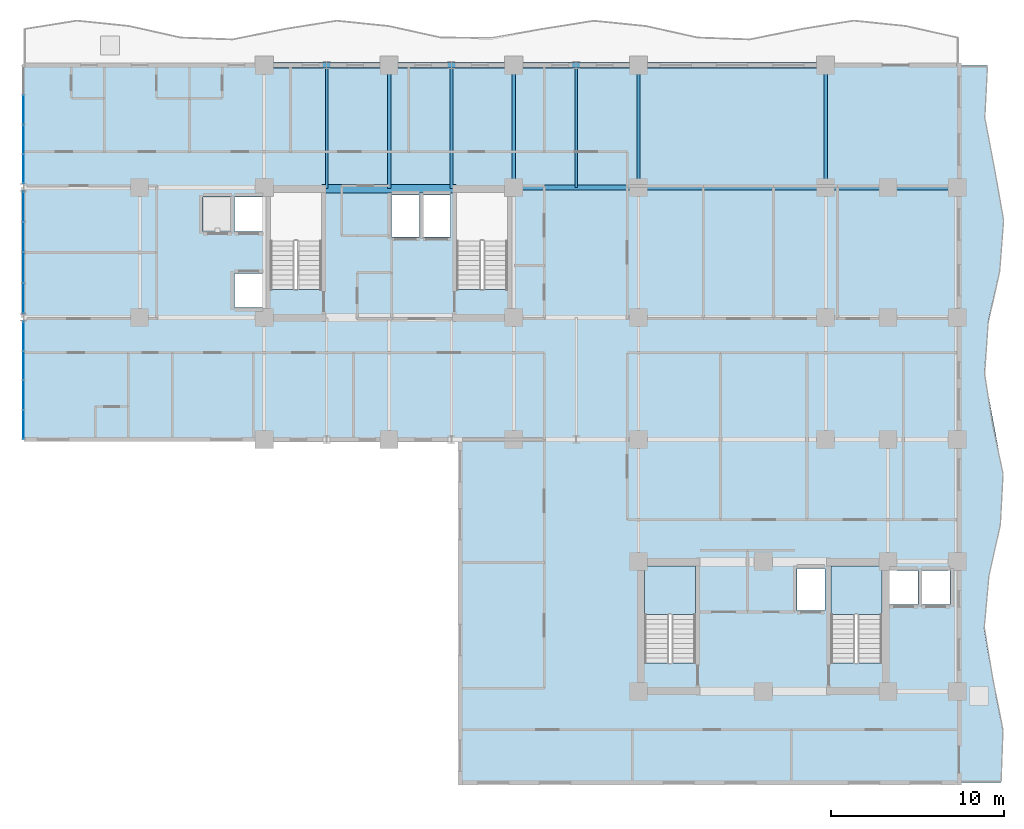
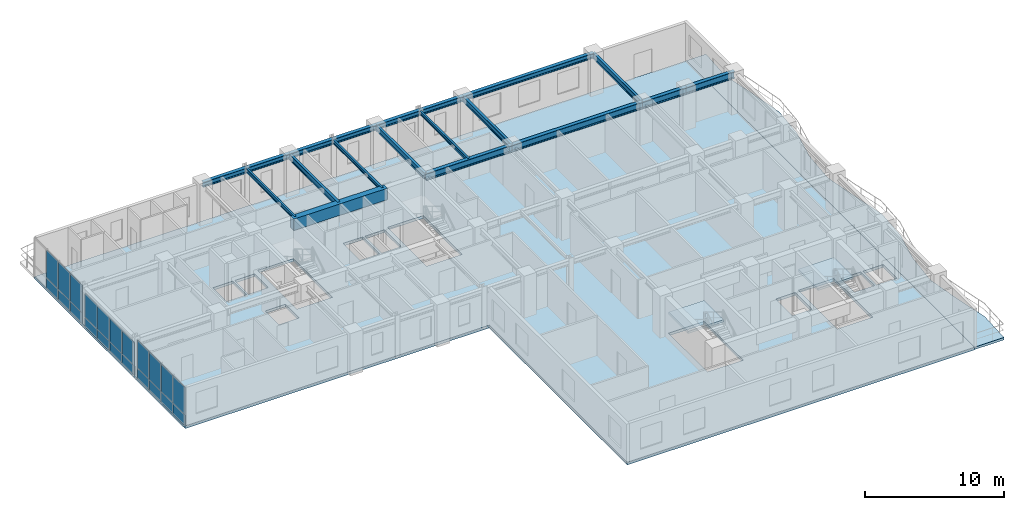
# One storey, part 9 of 20: 22 plates, 19 beams, 4 slabs, 5 elements without a shape of their own.
"""IFC4 building model written with IfcOpenShell, lengths in metres."""

from ifc_helpers import new_model, si_unit, direction, frame, origin, origin_2d, place, context, subcontext, project, spatial, polyline, rectangle, i_section, outline, extrude, source, transform, mapped, material, layer, layer_set, material_profile, profile_set, type_object, element, aggregate, save


model = new_model("IFC4")

# Units and contexts
model_context = context("Model", 3, precision=1e-05, world=origin(), true_north=direction((0.0, 1.0)))
body_context = subcontext(model_context, "Body", "Model", "MODEL_VIEW")
ifc_project = project(units=[si_unit("LENGTHUNIT", "METRE"), si_unit("AREAUNIT", "SQUARE_METRE"), si_unit("VOLUMEUNIT", "CUBIC_METRE"), si_unit("PLANEANGLEUNIT", "RADIAN"), si_unit("MASSUNIT", "GRAM", prefix="KILO")], contexts=[model_context])

# Site, building, storey
site_placement = place(None, origin())
site = spatial("IfcSite", under=ifc_project, at=site_placement, CompositionType="ELEMENT")
building_placement = place(site_placement, origin())
building = spatial("IfcBuilding", under=site, at=building_placement, Name="Kaliganga Portal Commons", CompositionType="ELEMENT")
storey_placement = place(building_placement, frame((0.0, 0.0, 155.0)))
storey = spatial("IfcBuildingStorey", under=building, at=storey_placement, Name="L39", CompositionType="ELEMENT", Elevation=155.0)

# Beams
ifc_material_1 = material(Name="Concrete C50/60", Category="concrete")
ifc_material_profile_1 = material_profile(ifc_material_1, rectangle(XDim=0.5, YDim=1.0, at=origin_2d()), Name="RC 500x1000")
ifc_profile_set_1 = profile_set([ifc_material_profile_1], Name="Concrete C50/60")
beam_type_1 = type_object("IfcBeamType", Name="BM-CPL-1000", PredefinedType="LINTEL", material=ifc_profile_set_1)
shared_shape_1 = source(origin(), body_context, "Body", "SweptSolid", [
    extrude(rectangle(XDim=0.5, YDim=1.0, at=origin_2d()), origin(), (0.0, 0.0, 1.0), 7.739990234375),
])
beam_1_placement = place(storey_placement, frame((17.72998046875, 36.074951171875, 2.9599609375), z_axis=(1.0, 0.0, 0.0), x_axis=(0.0, 1.0, 0.0)))
element("IfcBeam", 1, at=beam_1_placement, inside=storey, type_object=beam_type_1, Name="BM CPL COREA L39 N", PredefinedType="LINTEL", context=body_context, shape_type="MappedRepresentation", body=[
    mapped(shared_shape_1, transform((0.0, 0.0, 0.0), x_axis=(1.0, 0.0, 0.0), y_axis=(0.0, 1.0, 0.0), z_axis=(0.0, 0.0, 1.0), scale=1.0)),
])
ifc_material_2 = material(Name="Structural steel S355J2", Category="steel")
ifc_material_profile_2 = material_profile(ifc_material_2, i_section(OverallWidth=0.199951171875, OverallDepth=0.5, WebThickness=0.01025390625, FlangeThickness=0.01611328125, FilletRadius=0.02099609375, at=origin_2d()), Name="IPE 500")
ifc_profile_set_2 = profile_set([ifc_material_profile_2], Name="Structural steel S355J2 wide-flange")
beam_type_2 = type_object("IfcBeamType", Name="BM-FLR-500", PredefinedType="BEAM", material=ifc_profile_set_2)
shared_shape_2 = source(origin(), body_context, "Body", "SweptSolid", [
    extrude(i_section(OverallWidth=0.199951171875, OverallDepth=0.5, WebThickness=0.01025390625, FlangeThickness=0.01611328125, FilletRadius=0.02099609375, at=origin_2d()), origin(), (0.0, 0.0, 1.0), 7.050048828125),
])
for number, where, z_axis, x_axis, name in (
    (2, (28.800048828125, 36.14990234375, 3.2099609375), (0.0, 1.0, 0.0), (-1.0, 0.0, 0.0), "BM G L39 AN288"),
    (3, (36.0, 36.14990234375, 3.2099609375), (0.0, 1.0, 0.0), (-1.0, 0.0, 0.0), "BM G L39 AN360"),
    (4, (46.800048828125, 36.14990234375, 3.2099609375), (0.0, 1.0, 0.0), (-1.0, 0.0, 0.0), "BM G L39 AN468"),
):
    element("IfcBeam", number, at=place(storey_placement, frame(where, z_axis=z_axis, x_axis=x_axis)), inside=storey, type_object=beam_type_2, Name=name, PredefinedType="BEAM", context=body_context, shape_type="MappedRepresentation", body=[
        mapped(shared_shape_2, transform((0.0, 0.0, 0.0), x_axis=(1.0, 0.0, 0.0), y_axis=(0.0, 1.0, 0.0), z_axis=(0.0, 0.0, 1.0), scale=1.0)),
    ])
ifc_material_profile_3 = material_profile(ifc_material_2, i_section(OverallWidth=0.300048828125, OverallDepth=0.449951171875, WebThickness=0.013916015625, FlangeThickness=0.02587890625, FilletRadius=0.027099609375, at=origin_2d()), Name="HE 450 B")
ifc_profile_set_3 = profile_set([ifc_material_profile_3], Name="Structural steel S355J2 wide-flange")
beam_type_3 = type_object("IfcBeamType", Name="BM-SPAND-450", PredefinedType="SPANDREL", material=ifc_profile_set_3)
shared_shape_3 = source(origin(), body_context, "Body", "SweptSolid", [
    extrude(i_section(OverallWidth=0.300048828125, OverallDepth=0.449951171875, WebThickness=0.013916015625, FlangeThickness=0.02587890625, FilletRadius=0.027099609375, at=origin_2d()), origin(), (0.0, 0.0, 1.0), 3.60009765625),
])
for number, where, z_axis, x_axis, name in (
    (5, (14.39990234375, 43.199951171875, 3.235107421875), (1.0, 0.0, 0.0), (0.0, 1.0, 0.0), "BM SP L39 AN 1"),
    (6, (18.0, 43.199951171875, 3.235107421875), (1.0, 0.0, 0.0), (0.0, 1.0, 0.0), "BM SP L39 AN 2"),
    (7, (25.199951171875, 43.199951171875, 3.235107421875), (1.0, 0.0, 0.0), (0.0, 1.0, 0.0), "BM SP L39 AN 4"),
    (8, (32.39990234375, 43.199951171875, 3.235107421875), (1.0, 0.0, 0.0), (0.0, 1.0, 0.0), "BM SP L39 AN 6"),
):
    element("IfcBeam", number, at=place(storey_placement, frame(where, z_axis=z_axis, x_axis=x_axis)), inside=storey, type_object=beam_type_3, Name=name, PredefinedType="SPANDREL", context=body_context, shape_type="MappedRepresentation", body=[
        mapped(shared_shape_3, transform((0.0, 0.0, 0.0), x_axis=(1.0, 0.0, 0.0), y_axis=(0.0, 1.0, 0.0), z_axis=(0.0, 0.0, 1.0), scale=1.0)),
    ])
shared_shape_4 = source(origin(), body_context, "Body", "SweptSolid", [
    extrude(i_section(OverallWidth=0.300048828125, OverallDepth=0.449951171875, WebThickness=0.013916015625, FlangeThickness=0.02587890625, FilletRadius=0.027099609375, at=origin_2d()), origin(), (0.0, 0.0, 1.0), 3.599853515625),
])
for number, where, z_axis, x_axis, name in (
    (9, (21.60009765625, 43.199951171875, 3.235107421875), (1.0, 0.0, 0.0), (0.0, 1.0, 0.0), "BM SP L39 AN 3"),
    (10, (28.800048828125, 43.199951171875, 3.235107421875), (1.0, 0.0, 0.0), (0.0, 1.0, 0.0), "BM SP L39 AN 5"),
):
    element("IfcBeam", number, at=place(storey_placement, frame(where, z_axis=z_axis, x_axis=x_axis)), inside=storey, type_object=beam_type_3, Name=name, PredefinedType="SPANDREL", context=body_context, shape_type="MappedRepresentation", body=[
        mapped(shared_shape_4, transform((0.0, 0.0, 0.0), x_axis=(1.0, 0.0, 0.0), y_axis=(0.0, 1.0, 0.0), z_axis=(0.0, 0.0, 1.0), scale=1.0)),
    ])
shared_shape_5 = source(origin(), body_context, "Body", "SweptSolid", [
    extrude(i_section(OverallWidth=0.300048828125, OverallDepth=0.449951171875, WebThickness=0.013916015625, FlangeThickness=0.02587890625, FilletRadius=0.027099609375, at=origin_2d()), origin(), (0.0, 0.0, 1.0), 10.800048828125),
])
beam_2_placement = place(storey_placement, frame((36.0, 43.199951171875, 3.235107421875), z_axis=(1.0, 0.0, 0.0), x_axis=(0.0, 1.0, 0.0)))
element("IfcBeam", 11, at=beam_2_placement, inside=storey, type_object=beam_type_3, Name="BM SP L39 AN 7", PredefinedType="SPANDREL", context=body_context, shape_type="MappedRepresentation", body=[
    mapped(shared_shape_5, transform((0.0, 0.0, 0.0), x_axis=(1.0, 0.0, 0.0), y_axis=(0.0, 1.0, 0.0), z_axis=(0.0, 0.0, 1.0), scale=1.0)),
])
ifc_material_profile_4 = material_profile(ifc_material_2, i_section(OverallWidth=0.159912109375, OverallDepth=0.330078125, WebThickness=0.007568359375, FlangeThickness=0.011474609375, FilletRadius=0.01806640625, at=origin_2d()), Name="IPE 330")
ifc_profile_set_4 = profile_set([ifc_material_profile_4], Name="Structural steel S355J2 wide-flange")
beam_type_4 = type_object("IfcBeamType", Name="BM-JST-330", PredefinedType="JOIST", material=ifc_profile_set_4)
shared_shape_6 = source(origin(), body_context, "Body", "SweptSolid", [
    extrude(i_section(OverallWidth=0.159912109375, OverallDepth=0.330078125, WebThickness=0.007568359375, FlangeThickness=0.011474609375, FilletRadius=0.01806640625, at=origin_2d()), origin(), (0.0, 0.0, 1.0), 7.050048828125),
])
beam_3_placement = place(storey_placement, frame((32.39990234375, 36.14990234375, 3.294921875), z_axis=(0.0, 1.0, 0.0), x_axis=(-1.0, 0.0, 0.0)))
element("IfcBeam", 12, at=beam_3_placement, inside=storey, type_object=beam_type_4, Name="BM G L39 AN324", PredefinedType="JOIST", context=body_context, shape_type="MappedRepresentation", body=[
    mapped(shared_shape_6, transform((0.0, 0.0, 0.0), x_axis=(1.0, 0.0, 0.0), y_axis=(0.0, 1.0, 0.0), z_axis=(0.0, 0.0, 1.0), scale=1.0)),
])
ifc_material_profile_5 = material_profile(ifc_material_2, i_section(OverallWidth=0.300048828125, OverallDepth=0.60009765625, WebThickness=0.015380859375, FlangeThickness=0.030029296875, FilletRadius=0.027099609375, at=origin_2d()), Name="HE 600 B")
ifc_profile_set_5 = profile_set([ifc_material_profile_5], Name="Structural steel S355J2 wide-flange")
beam_type_5 = type_object("IfcBeamType", Name="BM-GIRD-600", PredefinedType="USERDEFINED", material=ifc_profile_set_5)
shared_shape_7 = source(origin(), body_context, "Body", "SweptSolid", [
    extrude(i_section(OverallWidth=0.300048828125, OverallDepth=0.60009765625, WebThickness=0.015380859375, FlangeThickness=0.030029296875, FilletRadius=0.027099609375, at=origin_2d()), origin(), (0.0, 0.0, 1.0), 7.199951171875),
])
beam_4_placement = place(storey_placement, frame((28.800048828125, 36.14990234375, 3.159912109375), z_axis=(1.0, 0.0, 0.0), x_axis=(0.0, 1.0, 0.0)))
element("IfcBeam", 13, at=beam_4_placement, inside=storey, type_object=beam_type_5, Name="BM G L39 WAE_N 1", ObjectType="GIRDER", PredefinedType="USERDEFINED", context=body_context, shape_type="MappedRepresentation", body=[
    mapped(shared_shape_7, transform((0.0, 0.0, 0.0), x_axis=(1.0, 0.0, 0.0), y_axis=(0.0, 1.0, 0.0), z_axis=(0.0, 0.0, 1.0), scale=1.0)),
])
shared_shape_8 = source(origin(), body_context, "Body", "SweptSolid", [
    extrude(i_section(OverallWidth=0.300048828125, OverallDepth=0.60009765625, WebThickness=0.015380859375, FlangeThickness=0.030029296875, FilletRadius=0.027099609375, at=origin_2d()), origin(), (0.0, 0.0, 1.0), 10.800048828125),
])
beam_5_placement = place(storey_placement, frame((36.0, 36.14990234375, 3.159912109375), z_axis=(1.0, 0.0, 0.0), x_axis=(0.0, 1.0, 0.0)))
element("IfcBeam", 14, at=beam_5_placement, inside=storey, type_object=beam_type_5, Name="BM G L39 WAE_N 2", ObjectType="GIRDER", PredefinedType="USERDEFINED", context=body_context, shape_type="MappedRepresentation", body=[
    mapped(shared_shape_8, transform((0.0, 0.0, 0.0), x_axis=(1.0, 0.0, 0.0), y_axis=(0.0, 1.0, 0.0), z_axis=(0.0, 0.0, 1.0), scale=1.0)),
])
shared_shape_9 = source(origin(), body_context, "Body", "SweptSolid", [
    extrude(i_section(OverallWidth=0.159912109375, OverallDepth=0.330078125, WebThickness=0.007568359375, FlangeThickness=0.011474609375, FilletRadius=0.01806640625, at=origin_2d()), origin(), (0.0, 0.0, 1.0), 7.125),
])
for number, where, z_axis, x_axis, name in (
    (15, (18.0, 36.074951171875, 3.294921875), (0.0, 1.0, 0.0), (-1.0, 0.0, 0.0), "BM G L39 AN180"),
    (16, (25.199951171875, 36.074951171875, 3.294921875), (0.0, 1.0, 0.0), (-1.0, 0.0, 0.0), "BM G L39 AN252"),
):
    element("IfcBeam", number, at=place(storey_placement, frame(where, z_axis=z_axis, x_axis=x_axis)), inside=storey, type_object=beam_type_4, Name=name, PredefinedType="JOIST", context=body_context, shape_type="MappedRepresentation", body=[
        mapped(shared_shape_9, transform((0.0, 0.0, 0.0), x_axis=(1.0, 0.0, 0.0), y_axis=(0.0, 1.0, 0.0), z_axis=(0.0, 0.0, 1.0), scale=1.0)),
    ])
shared_shape_10 = source(origin(), body_context, "Body", "SweptSolid", [
    extrude(i_section(OverallWidth=0.199951171875, OverallDepth=0.5, WebThickness=0.01025390625, FlangeThickness=0.01611328125, FilletRadius=0.02099609375, at=origin_2d()), origin(), (0.0, 0.0, 1.0), 7.125),
])
beam_6_placement = place(storey_placement, frame((21.60009765625, 36.074951171875, 3.2099609375), z_axis=(0.0, 1.0, 0.0), x_axis=(-1.0, 0.0, 0.0)))
element("IfcBeam", 17, at=beam_6_placement, inside=storey, type_object=beam_type_2, Name="BM G L39 AN216", PredefinedType="BEAM", context=body_context, shape_type="MappedRepresentation", body=[
    mapped(shared_shape_10, transform((0.0, 0.0, 0.0), x_axis=(1.0, 0.0, 0.0), y_axis=(0.0, 1.0, 0.0), z_axis=(0.0, 0.0, 1.0), scale=1.0)),
])
shared_shape_11 = source(origin(), body_context, "Body", "SweptSolid", [
    extrude(i_section(OverallWidth=0.300048828125, OverallDepth=0.60009765625, WebThickness=0.015380859375, FlangeThickness=0.030029296875, FilletRadius=0.027099609375, at=origin_2d()), origin(), (0.0, 0.0, 1.0), 4.0),
])
beam_7_placement = place(storey_placement, frame((50.39990234375, 36.14990234375, 3.159912109375), z_axis=(1.0, 0.0, 0.0), x_axis=(0.0, 1.0, 0.0)))
element("IfcBeam", 18, at=beam_7_placement, inside=storey, type_object=beam_type_5, Name="BM G L39 BKE362 2", ObjectType="GIRDER", PredefinedType="USERDEFINED", context=body_context, shape_type="MappedRepresentation", body=[
    mapped(shared_shape_11, transform((0.0, 0.0, 0.0), x_axis=(1.0, 0.0, 0.0), y_axis=(0.0, 1.0, 0.0), z_axis=(0.0, 0.0, 1.0), scale=1.0)),
])
shared_shape_12 = source(origin(), body_context, "Body", "SweptSolid", [
    extrude(i_section(OverallWidth=0.300048828125, OverallDepth=0.60009765625, WebThickness=0.015380859375, FlangeThickness=0.030029296875, FilletRadius=0.027099609375, at=origin_2d()), origin(), (0.0, 0.0, 1.0), 3.599853515625),
])
beam_8_placement = place(storey_placement, frame((46.800048828125, 36.14990234375, 3.159912109375), z_axis=(1.0, 0.0, 0.0), x_axis=(0.0, 1.0, 0.0)))
element("IfcBeam", 19, at=beam_8_placement, inside=storey, type_object=beam_type_5, Name="BM G L39 BKE362 1", ObjectType="GIRDER", PredefinedType="USERDEFINED", context=body_context, shape_type="MappedRepresentation", body=[
    mapped(shared_shape_12, transform((0.0, 0.0, 0.0), x_axis=(1.0, 0.0, 0.0), y_axis=(0.0, 1.0, 0.0), z_axis=(0.0, 0.0, 1.0), scale=1.0)),
])

# Slab
ifc_material_3 = material(Name="Concrete C40/50", Category="concrete")
ifc_layer_1 = layer(ifc_material_3, 0.2099609375)
ifc_layer_set_1 = layer_set([ifc_layer_1], Name="Concrete C40/50")
slab_type_1 = type_object("IfcSlabType", Name="SLB-BALC-210", PredefinedType="FLOOR", material=ifc_layer_set_1)
slab_1_placement = place(storey_placement, frame((0.0, 0.0, -0.2099609375)))
element("IfcSlab", 20, at=slab_1_placement, inside=storey, type_object=slab_type_1, Name="Scalloped Tree-Planter Balcony Slab L39 balc_east", PredefinedType="FLOOR", context=body_context, shape_type="SweptSolid", body=[
    extrude(outline(polyline([(54.5, 1.800048828125), (56.930419921875, 1.800048828125), (57.04150390625, 4.757080078125), (56.451416015625, 7.71435546875), (55.955810546875, 10.67138671875), (56.222412109375, 13.628662109375), (56.89208984375, 16.585693359375), (57.062255859375, 19.54296875), (56.50341796875, 22.5), (55.968994140625, 25.45703125), (56.17919921875, 28.414306640625), (56.850830078125, 31.371337890625), (57.07861328125, 34.32861328125), (56.55517578125, 37.28564453125), (55.986328125, 40.242919921875), (56.138916015625, 43.199951171875), (54.5, 43.199951171875), (54.5, 1.800048828125)])), origin(), (0.0, 0.0, 1.0), 0.2099609375),
])

# Stair, slab
stair_type = type_object("IfcStairType", Name="ST-CORE-DOGLEG", PredefinedType="HALF_TURN_STAIR", material=ifc_material_3)
stair_1_placement = place(storey_placement, origin())
stair_1 = element("IfcStair", 21, at=stair_1_placement, inside=storey, type_object=stair_type, Name="L39 Protected Exit Stair ST-B1", PredefinedType="HALF_TURN_STAIR")
ifc_layer_2 = layer(ifc_material_3, 0.199951171875)
ifc_layer_set_2 = layer_set([ifc_layer_2], Name="Concrete C40/50")
slab_type_2 = type_object("IfcSlabType", Name="SLB-STAIR-LND", PredefinedType="LANDING", material=ifc_layer_set_2)
slab_2_placement = place(storey_placement, frame((0.0, 0.0, 1.64990234375)))
slab_2 = element("IfcSlab", 22, at=slab_2_placement, type_object=slab_type_2, Name="ST-B1 landing 1", PredefinedType="LANDING", context=body_context, shape_type="SweptSolid", body=[
    extrude(outline(polyline([(39.300048828125, 11.5), (39.300048828125, 14.300048828125), (36.35009765625, 14.300048828125), (36.35009765625, 11.5), (39.300048828125, 11.5)])), origin(), (0.0, 0.0, 1.0), 0.2001953125),
])
aggregate(stair_1, [slab_2])

stair_2_placement = place(storey_placement, origin())
stair_2 = element("IfcStair", 23, at=stair_2_placement, inside=storey, type_object=stair_type, Name="L39 Protected Exit Stair ST-B2", PredefinedType="HALF_TURN_STAIR")
slab_3_placement = place(storey_placement, frame((0.0, 0.0, 1.64990234375)))
slab_3 = element("IfcSlab", 24, at=slab_3_placement, type_object=slab_type_2, Name="ST-B2 landing 1", PredefinedType="LANDING", context=body_context, shape_type="SweptSolid", body=[
    extrude(outline(polyline([(50.050048828125, 11.5), (50.050048828125, 14.300048828125), (47.10009765625, 14.300048828125), (47.10009765625, 11.5), (50.050048828125, 11.5)])), origin(), (0.0, 0.0, 1.0), 0.2001953125),
])
aggregate(stair_2, [slab_3])

# Slab
ifc_layer_3 = layer(ifc_material_3, 0.239990234375)
ifc_layer_set_3 = layer_set([ifc_layer_3], Name="Concrete C40/50")
slab_type_3 = type_object("IfcSlabType", Name="SLB-TWR-240", PredefinedType="FLOOR", material=ifc_layer_set_3)
slab_4_placement = place(storey_placement, frame((0.0, 0.0, -0.239990234375)))
element("IfcSlab", 25, at=slab_4_placement, inside=storey, type_object=slab_type_3, Name="Structural Floor Slab L39", PredefinedType="FLOOR", context=body_context, shape_type="SweptSolid", body=[
    extrude(outline(polyline([(25.699951171875, 1.800048828125), (54.5, 1.800048828125), (54.5, 43.199951171875), (0.5, 43.199951171875), (0.5, 21.60009765625), (25.699951171875, 21.60009765625), (25.699951171875, 1.800048828125)]), holes=[polyline([(14.75, 30.25390625), (14.75, 35.85009765625), (17.699951171875, 35.85009765625), (17.699951171875, 30.25390625), (14.75, 30.25390625)]), polyline([(25.5, 30.25390625), (25.5, 35.85009765625), (28.449951171875, 35.85009765625), (28.449951171875, 30.25390625), (25.5, 30.25390625)]), polyline([(36.35009765625, 8.7041015625), (36.35009765625, 14.300048828125), (39.300048828125, 14.300048828125), (39.300048828125, 8.7041015625), (36.35009765625, 8.7041015625)]), polyline([(47.10009765625, 8.7041015625), (47.10009765625, 14.300048828125), (50.050048828125, 14.300048828125), (50.050048828125, 8.7041015625), (47.10009765625, 8.7041015625)]), polyline([(12.6650390625, 33.614990234375), (12.6650390625, 35.5849609375), (14.3349609375, 35.5849609375), (14.3349609375, 33.614990234375), (12.6650390625, 33.614990234375)]), polyline([(12.6650390625, 29.215087890625), (12.6650390625, 31.18505859375), (14.3349609375, 31.18505859375), (14.3349609375, 29.215087890625), (12.6650390625, 29.215087890625)]), polyline([(10.864990234375, 33.614990234375), (10.864990234375, 35.5849609375), (12.534912109375, 35.5849609375), (12.534912109375, 33.614990234375), (10.864990234375, 33.614990234375)]), polyline([(21.739990234375, 33.2900390625), (21.739990234375, 35.7099609375), (23.360107421875, 35.7099609375), (23.360107421875, 33.2900390625), (21.739990234375, 33.2900390625)]), polyline([(23.5400390625, 33.2900390625), (23.5400390625, 35.7099609375), (25.159912109375, 35.7099609375), (25.159912109375, 33.2900390625), (23.5400390625, 33.2900390625)]), polyline([(50.465087890625, 12.06494140625), (50.465087890625, 14.034912109375), (52.135009765625, 14.034912109375), (52.135009765625, 12.06494140625), (50.465087890625, 12.06494140625)]), polyline([(52.31494140625, 12.06494140625), (52.31494140625, 14.034912109375), (53.985107421875, 14.034912109375), (53.985107421875, 12.06494140625), (52.31494140625, 12.06494140625)]), polyline([(45.139892578125, 11.739990234375), (45.139892578125, 14.159912109375), (46.760009765625, 14.159912109375), (46.760009765625, 11.739990234375), (45.139892578125, 11.739990234375)])]), origin(), (0.0, 0.0, 1.0), 0.239990234375),
])

# Curtain wall, plates
ifc_material_4 = material(Name="Anodized Aluminium and Laminated Low-E Glass", Category="aluminium")
ifc_layer_4 = layer(ifc_material_4, 0.199951171875)
ifc_layer_set_4 = layer_set([ifc_layer_4], Name="Anodized Aluminium and Laminated Low-E Glass")
curtain_wall_type = type_object("IfcCurtainWallType", Name="CW-SYS-02", PredefinedType="NOTDEFINED", material=ifc_layer_set_4)
curtain_wall_1_placement = place(storey_placement, origin())
curtain_wall_1 = element("IfcCurtainWall", 26, at=curtain_wall_1_placement, inside=storey, type_object=curtain_wall_type, Name="CW 02 L39 P1E03S1", PredefinedType="NOTDEFINED")
ifc_material_5 = material(Name="Insulated Dark Spandrel Panel", Category="metal")
ifc_layer_5 = layer(ifc_material_5, 0.044921875)
ifc_layer_set_5 = layer_set([ifc_layer_5], Name="Insulated Dark Spandrel Panel")
plate_type_1 = type_object("IfcPlateType", Name="PLT-SPN-45", PredefinedType="SHEET", material=ifc_layer_set_5)
shared_shape_13 = source(origin(), body_context, "Body", "SweptSolid", [
    extrude(rectangle(XDim=1.67041015625, YDim=0.044921875, at=origin_2d()), origin(), (0.0, 0.0, 1.0), 0.929931640625),
])
plate_1_placement = place(storey_placement, frame((0.5, 40.63427734375, 0.01025390625), z_axis=(0.0, 0.0, 1.0), x_axis=(0.0, -1.0, 0.0)))
plate_1 = element("IfcPlate", 27, at=plate_1_placement, type_object=plate_type_1, Name="CW:02:L39:P1E03S1 Spandrel 01", PredefinedType="SHEET", context=body_context, shape_type="MappedRepresentation", body=[
    mapped(shared_shape_13, transform((0.0, 0.0, 0.0), x_axis=(1.0, 0.0, 0.0), y_axis=(0.0, 1.0, 0.0), z_axis=(0.0, 0.0, 1.0), scale=1.0)),
])
plate_2_placement = place(storey_placement, frame((0.5, 38.923583984375, 0.01025390625), z_axis=(0.0, 0.0, 1.0), x_axis=(0.0, -1.0, 0.0)))
plate_2 = element("IfcPlate", 28, at=plate_2_placement, type_object=plate_type_1, Name="CW:02:L39:P1E03S1 Spandrel 02", PredefinedType="SHEET", context=body_context, shape_type="MappedRepresentation", body=[
    mapped(shared_shape_13, transform((0.0, 0.0, 0.0), x_axis=(1.0, 0.0, 0.0), y_axis=(0.0, 1.0, 0.0), z_axis=(0.0, 0.0, 1.0), scale=1.0)),
])
plate_3_placement = place(storey_placement, frame((0.5, 37.213134765625, 0.01025390625), z_axis=(0.0, 0.0, 1.0), x_axis=(0.0, -1.0, 0.0)))
plate_3 = element("IfcPlate", 29, at=plate_3_placement, type_object=plate_type_1, Name="CW:02:L39:P1E03S1 Spandrel 03", PredefinedType="SHEET", context=body_context, shape_type="MappedRepresentation", body=[
    mapped(shared_shape_13, transform((0.0, 0.0, 0.0), x_axis=(1.0, 0.0, 0.0), y_axis=(0.0, 1.0, 0.0), z_axis=(0.0, 0.0, 1.0), scale=1.0)),
])

curtain_wall_2_placement = place(storey_placement, origin())
curtain_wall_2 = element("IfcCurtainWall", 30, at=curtain_wall_2_placement, inside=storey, type_object=curtain_wall_type, Name="CW 02 L39 P1E03S3", PredefinedType="NOTDEFINED")
plate_4_placement = place(storey_placement, frame((0.5, 27.5869140625, 0.01025390625), z_axis=(0.0, 0.0, 1.0), x_axis=(0.0, -1.0, 0.0)))
plate_4 = element("IfcPlate", 31, at=plate_4_placement, type_object=plate_type_1, Name="CW:02:L39:P1E03S3 Spandrel 00", PredefinedType="SHEET", context=body_context, shape_type="MappedRepresentation", body=[
    mapped(shared_shape_13, transform((0.0, 0.0, 0.0), x_axis=(1.0, 0.0, 0.0), y_axis=(0.0, 1.0, 0.0), z_axis=(0.0, 0.0, 1.0), scale=1.0)),
])
plate_5_placement = place(storey_placement, frame((0.5, 25.876220703125, 0.01025390625), z_axis=(0.0, 0.0, 1.0), x_axis=(0.0, -1.0, 0.0)))
plate_5 = element("IfcPlate", 32, at=plate_5_placement, type_object=plate_type_1, Name="CW:02:L39:P1E03S3 Spandrel 01", PredefinedType="SHEET", context=body_context, shape_type="MappedRepresentation", body=[
    mapped(shared_shape_13, transform((0.0, 0.0, 0.0), x_axis=(1.0, 0.0, 0.0), y_axis=(0.0, 1.0, 0.0), z_axis=(0.0, 0.0, 1.0), scale=1.0)),
])
plate_6_placement = place(storey_placement, frame((0.5, 24.165771484375, 0.01025390625), z_axis=(0.0, 0.0, 1.0), x_axis=(0.0, -1.0, 0.0)))
plate_6 = element("IfcPlate", 33, at=plate_6_placement, type_object=plate_type_1, Name="CW:02:L39:P1E03S3 Spandrel 02", PredefinedType="SHEET", context=body_context, shape_type="MappedRepresentation", body=[
    mapped(shared_shape_13, transform((0.0, 0.0, 0.0), x_axis=(1.0, 0.0, 0.0), y_axis=(0.0, 1.0, 0.0), z_axis=(0.0, 0.0, 1.0), scale=1.0)),
])
plate_7_placement = place(storey_placement, frame((0.5, 22.455078125, 0.01025390625), z_axis=(0.0, 0.0, 1.0), x_axis=(0.0, -1.0, 0.0)))
plate_7 = element("IfcPlate", 34, at=plate_7_placement, type_object=plate_type_1, Name="CW:02:L39:P1E03S3 Spandrel 03", PredefinedType="SHEET", context=body_context, shape_type="MappedRepresentation", body=[
    mapped(shared_shape_13, transform((0.0, 0.0, 0.0), x_axis=(1.0, 0.0, 0.0), y_axis=(0.0, 1.0, 0.0), z_axis=(0.0, 0.0, 1.0), scale=1.0)),
])

# Plate
ifc_material_6 = material(Name="Dark Solar-Control Laminated Low-E IGU", Category="glass")
ifc_layer_6 = layer(ifc_material_6, 0.028076171875)
ifc_layer_set_6 = layer_set([ifc_layer_6], Name="Dark Solar-Control Laminated Low-E IGU")
plate_type_2 = type_object("IfcPlateType", Name="PLT-GLZ-28", PredefinedType="CURTAIN_PANEL", material=ifc_layer_set_6)
shared_shape_14 = source(origin(), body_context, "Body", "SweptSolid", [
    extrude(rectangle(XDim=1.67041015625, YDim=0.028076171875, at=origin_2d()), origin(), (0.0, 0.0, 1.0), 2.409912109375),
])
plate_8_placement = place(storey_placement, frame((0.5, 40.63427734375, 0.9599609375), z_axis=(0.0, 0.0, 1.0), x_axis=(0.0, -1.0, 0.0)))
plate_8 = element("IfcPlate", 35, at=plate_8_placement, type_object=plate_type_2, Name="CW:02:L39:P1E03S1 Vision IGU 01", PredefinedType="CURTAIN_PANEL", context=body_context, shape_type="MappedRepresentation", body=[
    mapped(shared_shape_14, transform((0.0, 0.0, 0.0), x_axis=(1.0, 0.0, 0.0), y_axis=(0.0, 1.0, 0.0), z_axis=(0.0, 0.0, 1.0), scale=1.0)),
])

plate_9_placement = place(storey_placement, frame((0.5, 38.923583984375, 0.9599609375), z_axis=(0.0, 0.0, 1.0), x_axis=(0.0, -1.0, 0.0)))
plate_9 = element("IfcPlate", 36, at=plate_9_placement, type_object=plate_type_2, Name="CW:02:L39:P1E03S1 Vision IGU 02", PredefinedType="CURTAIN_PANEL", context=body_context, shape_type="MappedRepresentation", body=[
    mapped(shared_shape_14, transform((0.0, 0.0, 0.0), x_axis=(1.0, 0.0, 0.0), y_axis=(0.0, 1.0, 0.0), z_axis=(0.0, 0.0, 1.0), scale=1.0)),
])

plate_10_placement = place(storey_placement, frame((0.5, 37.213134765625, 0.9599609375), z_axis=(0.0, 0.0, 1.0), x_axis=(0.0, -1.0, 0.0)))
plate_10 = element("IfcPlate", 37, at=plate_10_placement, type_object=plate_type_2, Name="CW:02:L39:P1E03S1 Vision IGU 03", PredefinedType="CURTAIN_PANEL", context=body_context, shape_type="MappedRepresentation", body=[
    mapped(shared_shape_14, transform((0.0, 0.0, 0.0), x_axis=(1.0, 0.0, 0.0), y_axis=(0.0, 1.0, 0.0), z_axis=(0.0, 0.0, 1.0), scale=1.0)),
])

aggregate(curtain_wall_1, [plate_1, plate_8, plate_2, plate_9, plate_3, plate_10])

plate_11_placement = place(storey_placement, frame((0.5, 27.5869140625, 0.9599609375), z_axis=(0.0, 0.0, 1.0), x_axis=(0.0, -1.0, 0.0)))
plate_11 = element("IfcPlate", 38, at=plate_11_placement, type_object=plate_type_2, Name="CW:02:L39:P1E03S3 Vision IGU 00", PredefinedType="CURTAIN_PANEL", context=body_context, shape_type="MappedRepresentation", body=[
    mapped(shared_shape_14, transform((0.0, 0.0, 0.0), x_axis=(1.0, 0.0, 0.0), y_axis=(0.0, 1.0, 0.0), z_axis=(0.0, 0.0, 1.0), scale=1.0)),
])

plate_12_placement = place(storey_placement, frame((0.5, 25.876220703125, 0.9599609375), z_axis=(0.0, 0.0, 1.0), x_axis=(0.0, -1.0, 0.0)))
plate_12 = element("IfcPlate", 39, at=plate_12_placement, type_object=plate_type_2, Name="CW:02:L39:P1E03S3 Vision IGU 01", PredefinedType="CURTAIN_PANEL", context=body_context, shape_type="MappedRepresentation", body=[
    mapped(shared_shape_14, transform((0.0, 0.0, 0.0), x_axis=(1.0, 0.0, 0.0), y_axis=(0.0, 1.0, 0.0), z_axis=(0.0, 0.0, 1.0), scale=1.0)),
])

plate_13_placement = place(storey_placement, frame((0.5, 24.165771484375, 0.9599609375), z_axis=(0.0, 0.0, 1.0), x_axis=(0.0, -1.0, 0.0)))
plate_13 = element("IfcPlate", 40, at=plate_13_placement, type_object=plate_type_2, Name="CW:02:L39:P1E03S3 Vision IGU 02", PredefinedType="CURTAIN_PANEL", context=body_context, shape_type="MappedRepresentation", body=[
    mapped(shared_shape_14, transform((0.0, 0.0, 0.0), x_axis=(1.0, 0.0, 0.0), y_axis=(0.0, 1.0, 0.0), z_axis=(0.0, 0.0, 1.0), scale=1.0)),
])

plate_14_placement = place(storey_placement, frame((0.5, 22.455078125, 0.9599609375), z_axis=(0.0, 0.0, 1.0), x_axis=(0.0, -1.0, 0.0)))
plate_14 = element("IfcPlate", 41, at=plate_14_placement, type_object=plate_type_2, Name="CW:02:L39:P1E03S3 Vision IGU 03", PredefinedType="CURTAIN_PANEL", context=body_context, shape_type="MappedRepresentation", body=[
    mapped(shared_shape_14, transform((0.0, 0.0, 0.0), x_axis=(1.0, 0.0, 0.0), y_axis=(0.0, 1.0, 0.0), z_axis=(0.0, 0.0, 1.0), scale=1.0)),
])

aggregate(curtain_wall_2, [plate_4, plate_11, plate_5, plate_12, plate_6, plate_13, plate_7, plate_14])

# Curtain wall, plates
curtain_wall_3_placement = place(storey_placement, origin())
curtain_wall_3 = element("IfcCurtainWall", 42, at=curtain_wall_3_placement, inside=storey, type_object=curtain_wall_type, Name="CW 02 L39 P1E03S2", PredefinedType="NOTDEFINED")
shared_shape_15 = source(origin(), body_context, "Body", "SweptSolid", [
    extrude(rectangle(XDim=1.73095703125, YDim=0.044921875, at=origin_2d()), origin(), (0.0, 0.0, 1.0), 0.82275390625),
])
plate_15_placement = place(storey_placement, frame((0.5, 35.056396484375, 0.010009765625), z_axis=(0.0, 0.0, 1.0), x_axis=(0.0, -1.0, 0.0)))
plate_15 = element("IfcPlate", 43, at=plate_15_placement, type_object=plate_type_1, Name="CW:02:L39:P1E03S2 Spandrel 00", PredefinedType="SHEET", context=body_context, shape_type="MappedRepresentation", body=[
    mapped(shared_shape_15, transform((0.0, 0.0, 0.0), x_axis=(1.0, 0.0, 0.0), y_axis=(0.0, 1.0, 0.0), z_axis=(0.0, 0.0, 1.0), scale=1.0)),
])
plate_16_placement = place(storey_placement, frame((0.5, 33.285400390625, 0.010009765625), z_axis=(0.0, 0.0, 1.0), x_axis=(0.0, -1.0, 0.0)))
plate_16 = element("IfcPlate", 44, at=plate_16_placement, type_object=plate_type_1, Name="CW:02:L39:P1E03S2 Spandrel 01", PredefinedType="SHEET", context=body_context, shape_type="MappedRepresentation", body=[
    mapped(shared_shape_15, transform((0.0, 0.0, 0.0), x_axis=(1.0, 0.0, 0.0), y_axis=(0.0, 1.0, 0.0), z_axis=(0.0, 0.0, 1.0), scale=1.0)),
])
plate_17_placement = place(storey_placement, frame((0.5, 31.514404296875, 0.010009765625), z_axis=(0.0, 0.0, 1.0), x_axis=(0.0, -1.0, 0.0)))
plate_17 = element("IfcPlate", 45, at=plate_17_placement, type_object=plate_type_1, Name="CW:02:L39:P1E03S2 Spandrel 02", PredefinedType="SHEET", context=body_context, shape_type="MappedRepresentation", body=[
    mapped(shared_shape_15, transform((0.0, 0.0, 0.0), x_axis=(1.0, 0.0, 0.0), y_axis=(0.0, 1.0, 0.0), z_axis=(0.0, 0.0, 1.0), scale=1.0)),
])
plate_18_placement = place(storey_placement, frame((0.5, 29.743408203125, 0.010009765625), z_axis=(0.0, 0.0, 1.0), x_axis=(0.0, -1.0, 0.0)))
plate_18 = element("IfcPlate", 46, at=plate_18_placement, type_object=plate_type_1, Name="CW:02:L39:P1E03S2 Spandrel 03", PredefinedType="SHEET", context=body_context, shape_type="MappedRepresentation", body=[
    mapped(shared_shape_15, transform((0.0, 0.0, 0.0), x_axis=(1.0, 0.0, 0.0), y_axis=(0.0, 1.0, 0.0), z_axis=(0.0, 0.0, 1.0), scale=1.0)),
])
shared_shape_16 = source(origin(), body_context, "Body", "SweptSolid", [
    extrude(rectangle(XDim=1.73095703125, YDim=0.028076171875, at=origin_2d()), origin(), (0.0, 0.0, 1.0), 2.067138671875),
])
plate_19_placement = place(storey_placement, frame((0.5, 35.056396484375, 0.85302734375), z_axis=(0.0, 0.0, 1.0), x_axis=(0.0, -1.0, 0.0)))
plate_19 = element("IfcPlate", 47, at=plate_19_placement, type_object=plate_type_2, Name="CW:02:L39:P1E03S2 Vision IGU 00", PredefinedType="CURTAIN_PANEL", context=body_context, shape_type="MappedRepresentation", body=[
    mapped(shared_shape_16, transform((0.0, 0.0, 0.0), x_axis=(1.0, 0.0, 0.0), y_axis=(0.0, 1.0, 0.0), z_axis=(0.0, 0.0, 1.0), scale=1.0)),
])
plate_20_placement = place(storey_placement, frame((0.5, 33.285400390625, 0.85302734375), z_axis=(0.0, 0.0, 1.0), x_axis=(0.0, -1.0, 0.0)))
plate_20 = element("IfcPlate", 48, at=plate_20_placement, type_object=plate_type_2, Name="CW:02:L39:P1E03S2 Vision IGU 01", PredefinedType="CURTAIN_PANEL", context=body_context, shape_type="MappedRepresentation", body=[
    mapped(shared_shape_16, transform((0.0, 0.0, 0.0), x_axis=(1.0, 0.0, 0.0), y_axis=(0.0, 1.0, 0.0), z_axis=(0.0, 0.0, 1.0), scale=1.0)),
])
plate_21_placement = place(storey_placement, frame((0.5, 31.514404296875, 0.85302734375), z_axis=(0.0, 0.0, 1.0), x_axis=(0.0, -1.0, 0.0)))
plate_21 = element("IfcPlate", 49, at=plate_21_placement, type_object=plate_type_2, Name="CW:02:L39:P1E03S2 Vision IGU 02", PredefinedType="CURTAIN_PANEL", context=body_context, shape_type="MappedRepresentation", body=[
    mapped(shared_shape_16, transform((0.0, 0.0, 0.0), x_axis=(1.0, 0.0, 0.0), y_axis=(0.0, 1.0, 0.0), z_axis=(0.0, 0.0, 1.0), scale=1.0)),
])
plate_22_placement = place(storey_placement, frame((0.5, 29.743408203125, 0.85302734375), z_axis=(0.0, 0.0, 1.0), x_axis=(0.0, -1.0, 0.0)))
plate_22 = element("IfcPlate", 50, at=plate_22_placement, type_object=plate_type_2, Name="CW:02:L39:P1E03S2 Vision IGU 03", PredefinedType="CURTAIN_PANEL", context=body_context, shape_type="MappedRepresentation", body=[
    mapped(shared_shape_16, transform((0.0, 0.0, 0.0), x_axis=(1.0, 0.0, 0.0), y_axis=(0.0, 1.0, 0.0), z_axis=(0.0, 0.0, 1.0), scale=1.0)),
])
aggregate(curtain_wall_3, [plate_15, plate_19, plate_16, plate_20, plate_17, plate_21, plate_18, plate_22])

save(model, "model.ifc")
